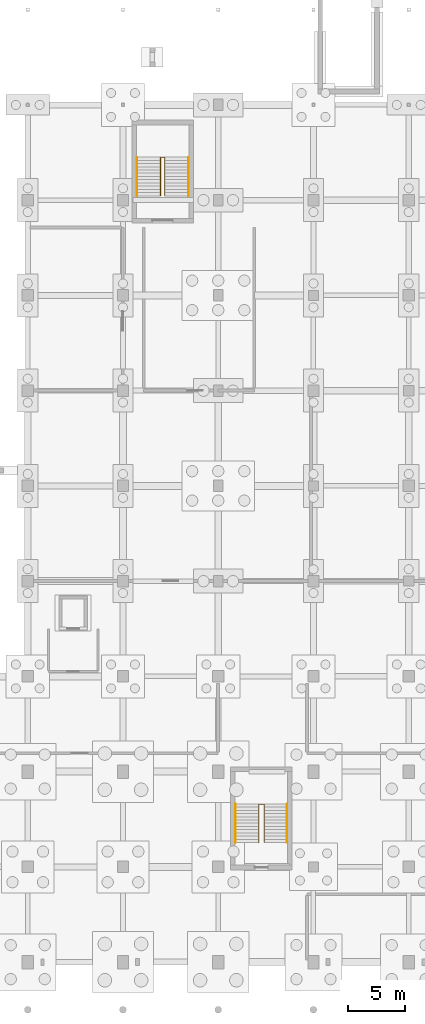
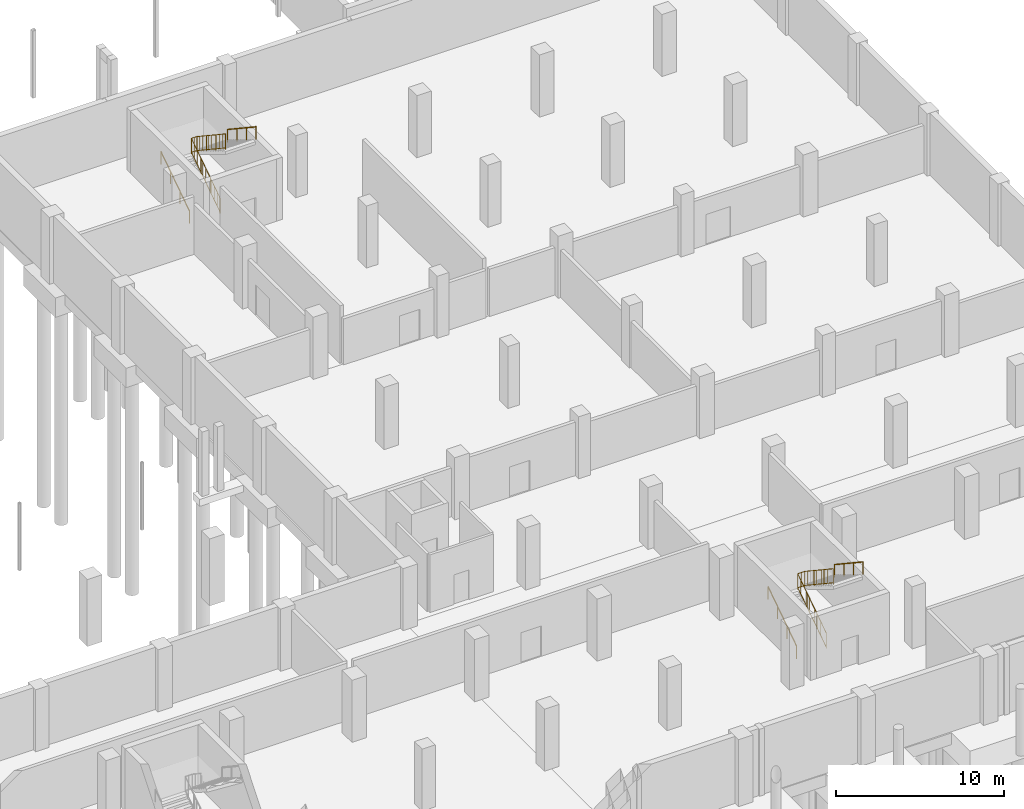
# One storey, part 39 of 39: 6 railings.
"""IFC4 building model written with IfcOpenShell, lengths in metres."""

from ifc_helpers import new_model, si_unit, derived_unit, direction, frame, origin, origin_2d, place, context, subcontext, project, spatial, circle, extrude, material, layer, layer_set, type_object, element, save


model = new_model("IFC4")

# Units and contexts
model_context = context("Model", 3, precision=1e-05, world=origin(), true_north=direction((0.0, 1.0)))
body_context = subcontext(model_context, "Body", "Model", "MODEL_VIEW")
ifc_project = project(units=[si_unit("LENGTHUNIT", "METRE"), si_unit("AREAUNIT", "SQUARE_METRE"), si_unit("VOLUMEUNIT", "CUBIC_METRE"), si_unit("PLANEANGLEUNIT", "RADIAN"), si_unit("MASSUNIT", "GRAM", prefix="KILO"), derived_unit("THERMALTRANSMITTANCEUNIT", [(si_unit("POWERUNIT", "WATT"), 1), (si_unit("LENGTHUNIT", "METRE"), -2), (si_unit("THERMODYNAMICTEMPERATUREUNIT", "KELVIN"), -1)])], contexts=[model_context])

# Site, building, storey
site_placement = place(None, origin())
site = spatial("IfcSite", under=ifc_project, at=site_placement, CompositionType="ELEMENT")
building_placement = place(site_placement, origin())
building = spatial("IfcBuilding", under=site, at=building_placement, Name="Barrovel Congress Hotel", CompositionType="ELEMENT")
storey_placement = place(building_placement, frame((0.0, 0.0, -4.5)))
storey = spatial("IfcBuildingStorey", under=building, at=storey_placement, Name="B01", CompositionType="ELEMENT", Elevation=-4.5)

# Railings
ifc_material_1 = material(Name="Painted Architectural Steel", Category="steel")
ifc_layer_1 = layer(ifc_material_1, 0.070068359375)
ifc_layer_set_1 = layer_set([ifc_layer_1], Name="Painted Architectural Steel")
railing_type_1 = type_object("IfcRailingType", Name="RAIL-GUARD-INT", PredefinedType="BALUSTRADE", material=ifc_layer_set_1)
railing_1_placement = place(storey_placement, frame((146.360107421875, 14.739990234375, 0.0)))
element("IfcRailing", 1, at=railing_1_placement, inside=storey, type_object=railing_type_1, Name="STAIR:XS-04:B01:GR-W", PredefinedType="BALUSTRADE", context=body_context, shape_type="SweptSolid", body=[
    extrude(circle(Radius=0.02392578125, at=origin_2d()), frame((0.0, 0.0, 1.11572265625), z_axis=(0.0, 0.833174834292, 0.553009670352), x_axis=(-1.0, 0.0, 0.0)), (0.0, 0.0, 1.0), 4.068603515625),
    extrude(circle(Radius=0.02392578125, at=origin_2d()), frame((0.0, 0.0, 0.10009765625), z_axis=(0.0, 0.833174834292, 0.553009670352), x_axis=(-1.0, 0.0, 0.0)), (0.0, 0.0, 1.0), 4.068603515625),
    extrude(circle(Radius=0.010009765625, at=origin_2d()), frame((0.0, 0.3388671875, 0.324951171875)), (0.0, 0.0, 1.0), 0.99169921875),
    extrude(circle(Radius=0.010009765625, at=origin_2d()), frame((0.0, 0.677978515625, 0.550048828125)), (0.0, 0.0, 1.0), 0.99169921875),
    extrude(circle(Radius=0.010009765625, at=origin_2d()), frame((0.0, 1.01708984375, 0.77490234375)), (0.0, 0.0, 1.0), 0.99169921875),
    extrude(circle(Radius=0.010009765625, at=origin_2d()), frame((0.0, 1.35595703125, 1.0)), (0.0, 0.0, 1.0), 0.99169921875),
    extrude(circle(Radius=0.010009765625, at=origin_2d()), frame((0.0, 1.69482421875, 1.22509765625)), (0.0, 0.0, 1.0), 0.99169921875),
    extrude(circle(Radius=0.010009765625, at=origin_2d()), frame((0.0, 2.033935546875, 1.449951171875)), (0.0, 0.0, 1.0), 0.99169921875),
    extrude(circle(Radius=0.010009765625, at=origin_2d()), frame((0.0, 2.373046875, 1.675048828125)), (0.0, 0.0, 1.0), 0.99169921875),
    extrude(circle(Radius=0.010009765625, at=origin_2d()), frame((0.0, 2.7119140625, 1.89990234375)), (0.0, 0.0, 1.0), 0.99169921875),
    extrude(circle(Radius=0.010009765625, at=origin_2d()), frame((0.0, 3.05078125, 2.125)), (0.0, 0.0, 1.0), 0.99169921875),
    extrude(circle(Radius=0.02392578125, at=origin_2d()), frame((0.0, 3.389892578125, 3.36572265625), z_axis=(1.0, 0.0, 0.0), x_axis=(0.0, 1.0, 0.0)), (0.0, 0.0, 1.0), 0.47998046875),
    extrude(circle(Radius=0.02392578125, at=origin_2d()), frame((0.0, 3.389892578125, 2.35009765625), z_axis=(1.0, 0.0, 0.0), x_axis=(0.0, 1.0, 0.0)), (0.0, 0.0, 1.0), 0.47998046875),
    extrude(circle(Radius=0.010009765625, at=origin_2d()), frame((0.239990234375, 3.389892578125, 2.35009765625)), (0.0, 0.0, 1.0), 0.99169921875),
    extrude(circle(Radius=0.02392578125, at=origin_2d()), frame((0.47998046875, 3.389892578125, 3.36572265625), z_axis=(0.0, -0.833174834292, 0.553009670352), x_axis=(1.0, 0.0, 0.0)), (0.0, 0.0, 1.0), 4.068603515625),
    extrude(circle(Radius=0.02392578125, at=origin_2d()), frame((0.47998046875, 3.389892578125, 2.35009765625), z_axis=(0.0, -0.833174834292, 0.553009670352), x_axis=(1.0, 0.0, 0.0)), (0.0, 0.0, 1.0), 4.068603515625),
    extrude(circle(Radius=0.010009765625, at=origin_2d()), frame((0.47998046875, 3.05078125, 2.574951171875)), (0.0, 0.0, 1.0), 0.99169921875),
    extrude(circle(Radius=0.010009765625, at=origin_2d()), frame((0.47998046875, 2.7119140625, 2.800048828125)), (0.0, 0.0, 1.0), 0.99169921875),
    extrude(circle(Radius=0.010009765625, at=origin_2d()), frame((0.47998046875, 2.373046875, 3.02490234375)), (0.0, 0.0, 1.0), 0.99169921875),
    extrude(circle(Radius=0.010009765625, at=origin_2d()), frame((0.47998046875, 2.033935546875, 3.25)), (0.0, 0.0, 1.0), 0.99169921875),
    extrude(circle(Radius=0.010009765625, at=origin_2d()), frame((0.47998046875, 1.69482421875, 3.47509765625)), (0.0, 0.0, 1.0), 0.99169921875),
    extrude(circle(Radius=0.010009765625, at=origin_2d()), frame((0.47998046875, 1.35595703125, 3.699951171875)), (0.0, 0.0, 1.0), 0.99169921875),
    extrude(circle(Radius=0.010009765625, at=origin_2d()), frame((0.47998046875, 1.01708984375, 3.925048828125)), (0.0, 0.0, 1.0), 0.99169921875),
    extrude(circle(Radius=0.010009765625, at=origin_2d()), frame((0.47998046875, 0.677978515625, 4.14990234375)), (0.0, 0.0, 1.0), 0.99169921875),
    extrude(circle(Radius=0.010009765625, at=origin_2d()), frame((0.47998046875, 0.3388671875, 4.375)), (0.0, 0.0, 1.0), 0.99169921875),
    extrude(circle(Radius=0.02099609375, at=origin_2d()), origin(), (0.0, 0.0, 1.0), 1.091796875),
    extrude(circle(Radius=0.02099609375, at=origin_2d()), frame((0.0, 1.1298828125, 0.75)), (0.0, 0.0, 1.0), 1.091796875),
    extrude(circle(Radius=0.02099609375, at=origin_2d()), frame((0.0, 2.260009765625, 1.5)), (0.0, 0.0, 1.0), 1.091796875),
    extrude(circle(Radius=0.02099609375, at=origin_2d()), frame((0.0, 3.389892578125, 2.25)), (0.0, 0.0, 1.0), 1.091796875),
    extrude(circle(Radius=0.02099609375, at=origin_2d()), frame((0.47998046875, 3.389892578125, 2.25)), (0.0, 0.0, 1.0), 1.091796875),
    extrude(circle(Radius=0.02099609375, at=origin_2d()), frame((0.47998046875, 2.260009765625, 3.0)), (0.0, 0.0, 1.0), 1.091796875),
    extrude(circle(Radius=0.02099609375, at=origin_2d()), frame((0.47998046875, 1.1298828125, 3.75)), (0.0, 0.0, 1.0), 1.091796875),
    extrude(circle(Radius=0.02099609375, at=origin_2d()), frame((0.47998046875, 0.0, 4.5)), (0.0, 0.0, 1.0), 1.091796875),
])
railing_2_placement = place(storey_placement, frame((137.7099609375, 71.780029296875, 0.0)))
element("IfcRailing", 2, at=railing_2_placement, inside=storey, type_object=railing_type_1, Name="STAIR:XS-09:B01:GR-W", PredefinedType="BALUSTRADE", context=body_context, shape_type="SweptSolid", body=[
    extrude(circle(Radius=0.02392578125, at=origin_2d()), frame((0.0, 0.0, 1.11572265625), z_axis=(0.0, 0.833174834292, 0.553009670352), x_axis=(-1.0, 0.0, 0.0)), (0.0, 0.0, 1.0), 4.068603515625),
    extrude(circle(Radius=0.02392578125, at=origin_2d()), frame((0.0, 0.0, 0.10009765625), z_axis=(0.0, 0.833174834292, 0.553009670352), x_axis=(-1.0, 0.0, 0.0)), (0.0, 0.0, 1.0), 4.068603515625),
    extrude(circle(Radius=0.010009765625, at=origin_2d()), frame((0.0, 0.3388671875, 0.324951171875)), (0.0, 0.0, 1.0), 0.99169921875),
    extrude(circle(Radius=0.010009765625, at=origin_2d()), frame((0.0, 0.677978515625, 0.550048828125)), (0.0, 0.0, 1.0), 0.99169921875),
    extrude(circle(Radius=0.010009765625, at=origin_2d()), frame((0.0, 1.01708984375, 0.77490234375)), (0.0, 0.0, 1.0), 0.99169921875),
    extrude(circle(Radius=0.010009765625, at=origin_2d()), frame((0.0, 1.35595703125, 1.0)), (0.0, 0.0, 1.0), 0.99169921875),
    extrude(circle(Radius=0.010009765625, at=origin_2d()), frame((0.0, 1.69482421875, 1.22509765625)), (0.0, 0.0, 1.0), 0.99169921875),
    extrude(circle(Radius=0.010009765625, at=origin_2d()), frame((0.0, 2.033935546875, 1.449951171875)), (0.0, 0.0, 1.0), 0.99169921875),
    extrude(circle(Radius=0.010009765625, at=origin_2d()), frame((0.0, 2.373046875, 1.675048828125)), (0.0, 0.0, 1.0), 0.99169921875),
    extrude(circle(Radius=0.010009765625, at=origin_2d()), frame((0.0, 2.7119140625, 1.89990234375)), (0.0, 0.0, 1.0), 0.99169921875),
    extrude(circle(Radius=0.010009765625, at=origin_2d()), frame((0.0, 3.05078125, 2.125)), (0.0, 0.0, 1.0), 0.99169921875),
    extrude(circle(Radius=0.02392578125, at=origin_2d()), frame((0.0, 3.389892578125, 3.36572265625), z_axis=(1.0, 0.0, 0.0), x_axis=(0.0, 1.0, 0.0)), (0.0, 0.0, 1.0), 0.380126953125),
    extrude(circle(Radius=0.02392578125, at=origin_2d()), frame((0.0, 3.389892578125, 2.35009765625), z_axis=(1.0, 0.0, 0.0), x_axis=(0.0, 1.0, 0.0)), (0.0, 0.0, 1.0), 0.380126953125),
    extrude(circle(Radius=0.010009765625, at=origin_2d()), frame((0.18994140625, 3.389892578125, 2.35009765625)), (0.0, 0.0, 1.0), 0.99169921875),
    extrude(circle(Radius=0.02392578125, at=origin_2d()), frame((0.380126953125, 3.389892578125, 3.36572265625), z_axis=(0.0, -0.833174834292, 0.553009670352), x_axis=(1.0, 0.0, 0.0)), (0.0, 0.0, 1.0), 4.068603515625),
    extrude(circle(Radius=0.02392578125, at=origin_2d()), frame((0.380126953125, 3.389892578125, 2.35009765625), z_axis=(0.0, -0.833174834292, 0.553009670352), x_axis=(1.0, 0.0, 0.0)), (0.0, 0.0, 1.0), 4.068603515625),
    extrude(circle(Radius=0.010009765625, at=origin_2d()), frame((0.380126953125, 3.05078125, 2.574951171875)), (0.0, 0.0, 1.0), 0.99169921875),
    extrude(circle(Radius=0.010009765625, at=origin_2d()), frame((0.380126953125, 2.7119140625, 2.800048828125)), (0.0, 0.0, 1.0), 0.99169921875),
    extrude(circle(Radius=0.010009765625, at=origin_2d()), frame((0.380126953125, 2.373046875, 3.02490234375)), (0.0, 0.0, 1.0), 0.99169921875),
    extrude(circle(Radius=0.010009765625, at=origin_2d()), frame((0.380126953125, 2.033935546875, 3.25)), (0.0, 0.0, 1.0), 0.99169921875),
    extrude(circle(Radius=0.010009765625, at=origin_2d()), frame((0.380126953125, 1.69482421875, 3.47509765625)), (0.0, 0.0, 1.0), 0.99169921875),
    extrude(circle(Radius=0.010009765625, at=origin_2d()), frame((0.380126953125, 1.35595703125, 3.699951171875)), (0.0, 0.0, 1.0), 0.99169921875),
    extrude(circle(Radius=0.010009765625, at=origin_2d()), frame((0.380126953125, 1.01708984375, 3.925048828125)), (0.0, 0.0, 1.0), 0.99169921875),
    extrude(circle(Radius=0.010009765625, at=origin_2d()), frame((0.380126953125, 0.677978515625, 4.14990234375)), (0.0, 0.0, 1.0), 0.99169921875),
    extrude(circle(Radius=0.010009765625, at=origin_2d()), frame((0.380126953125, 0.3388671875, 4.375)), (0.0, 0.0, 1.0), 0.99169921875),
    extrude(circle(Radius=0.02099609375, at=origin_2d()), origin(), (0.0, 0.0, 1.0), 1.091796875),
    extrude(circle(Radius=0.02099609375, at=origin_2d()), frame((0.0, 1.1298828125, 0.75)), (0.0, 0.0, 1.0), 1.091796875),
    extrude(circle(Radius=0.02099609375, at=origin_2d()), frame((0.0, 2.260009765625, 1.5)), (0.0, 0.0, 1.0), 1.091796875),
    extrude(circle(Radius=0.02099609375, at=origin_2d()), frame((0.0, 3.389892578125, 2.25)), (0.0, 0.0, 1.0), 1.091796875),
    extrude(circle(Radius=0.02099609375, at=origin_2d()), frame((0.380126953125, 3.389892578125, 2.25)), (0.0, 0.0, 1.0), 1.091796875),
    extrude(circle(Radius=0.02099609375, at=origin_2d()), frame((0.380126953125, 2.260009765625, 3.0)), (0.0, 0.0, 1.0), 1.091796875),
    extrude(circle(Radius=0.02099609375, at=origin_2d()), frame((0.380126953125, 1.1298828125, 3.75)), (0.0, 0.0, 1.0), 1.091796875),
    extrude(circle(Radius=0.02099609375, at=origin_2d()), frame((0.380126953125, 0.0, 4.5)), (0.0, 0.0, 1.0), 1.091796875),
])
ifc_material_2 = material(Name="Brushed Stainless Steel", Category="steel")
ifc_layer_2 = layer(ifc_material_2, 0.050048828125)
ifc_layer_set_2 = layer_set([ifc_layer_2], Name="Brushed Stainless Steel")
railing_type_2 = type_object("IfcRailingType", Name="RAIL-HAND", PredefinedType="HANDRAIL", material=ifc_layer_set_2)
railing_3_placement = place(storey_placement, frame((144.320068359375, 14.739990234375, 0.0)))
element("IfcRailing", 3, at=railing_3_placement, inside=storey, type_object=railing_type_2, Name="STAIR:XS-04:B01:HR-1", PredefinedType="HANDRAIL", context=body_context, shape_type="SweptSolid", body=[
    extrude(circle(Radius=0.02392578125, at=origin_2d()), frame((0.0, 0.0, 0.89599609375), z_axis=(0.0, 0.833174834292, 0.553009670352), x_axis=(-1.0, 0.0, 0.0)), (0.0, 0.0, 1.0), 4.068603515625),
    extrude(circle(Radius=0.02099609375, at=origin_2d()), origin(), (0.0, 0.0, 1.0), 0.871826171875),
    extrude(circle(Radius=0.02099609375, at=origin_2d()), frame((0.0, 1.1298828125, 0.75)), (0.0, 0.0, 1.0), 0.871826171875),
    extrude(circle(Radius=0.02099609375, at=origin_2d()), frame((0.0, 2.260009765625, 1.5)), (0.0, 0.0, 1.0), 0.871826171875),
    extrude(circle(Radius=0.02099609375, at=origin_2d()), frame((0.0, 3.389892578125, 2.25)), (0.0, 0.0, 1.0), 0.871826171875),
])
railing_4_placement = place(storey_placement, frame((148.8798828125, 18.1298828125, 2.25)))
element("IfcRailing", 4, at=railing_4_placement, inside=storey, type_object=railing_type_2, Name="STAIR:XS-04:B01:HR-2", PredefinedType="HANDRAIL", context=body_context, shape_type="SweptSolid", body=[
    extrude(circle(Radius=0.02392578125, at=origin_2d()), frame((0.0, 0.0, 0.89599609375), z_axis=(0.0, -0.833174834292, 0.553009670352), x_axis=(1.0, 0.0, 0.0)), (0.0, 0.0, 1.0), 4.068603515625),
    extrude(circle(Radius=0.02099609375, at=origin_2d()), origin(), (0.0, 0.0, 1.0), 0.871826171875),
    extrude(circle(Radius=0.02099609375, at=origin_2d()), frame((0.0, -1.1298828125, 0.75)), (0.0, 0.0, 1.0), 0.871826171875),
    extrude(circle(Radius=0.02099609375, at=origin_2d()), frame((0.0, -2.260009765625, 1.5)), (0.0, 0.0, 1.0), 0.871826171875),
    extrude(circle(Radius=0.02099609375, at=origin_2d()), frame((0.0, -3.389892578125, 2.25)), (0.0, 0.0, 1.0), 0.871826171875),
])
railing_5_placement = place(storey_placement, frame((135.6201171875, 71.780029296875, 0.0)))
element("IfcRailing", 5, at=railing_5_placement, inside=storey, type_object=railing_type_2, Name="STAIR:XS-09:B01:HR-1", PredefinedType="HANDRAIL", context=body_context, shape_type="SweptSolid", body=[
    extrude(circle(Radius=0.02392578125, at=origin_2d()), frame((0.0, 0.0, 0.89599609375), z_axis=(0.0, 0.833174834292, 0.553009670352), x_axis=(-1.0, 0.0, 0.0)), (0.0, 0.0, 1.0), 4.068603515625),
    extrude(circle(Radius=0.02099609375, at=origin_2d()), origin(), (0.0, 0.0, 1.0), 0.871826171875),
    extrude(circle(Radius=0.02099609375, at=origin_2d()), frame((0.0, 1.1298828125, 0.75)), (0.0, 0.0, 1.0), 0.871826171875),
    extrude(circle(Radius=0.02099609375, at=origin_2d()), frame((0.0, 2.260009765625, 1.5)), (0.0, 0.0, 1.0), 0.871826171875),
    extrude(circle(Radius=0.02099609375, at=origin_2d()), frame((0.0, 3.389892578125, 2.25)), (0.0, 0.0, 1.0), 0.871826171875),
])
railing_6_placement = place(storey_placement, frame((140.179931640625, 75.169921875, 2.25)))
element("IfcRailing", 6, at=railing_6_placement, inside=storey, type_object=railing_type_2, Name="STAIR:XS-09:B01:HR-2", PredefinedType="HANDRAIL", context=body_context, shape_type="SweptSolid", body=[
    extrude(circle(Radius=0.02392578125, at=origin_2d()), frame((0.0, 0.0, 0.89599609375), z_axis=(0.0, -0.833174834292, 0.553009670352), x_axis=(1.0, 0.0, 0.0)), (0.0, 0.0, 1.0), 4.068603515625),
    extrude(circle(Radius=0.02099609375, at=origin_2d()), origin(), (0.0, 0.0, 1.0), 0.871826171875),
    extrude(circle(Radius=0.02099609375, at=origin_2d()), frame((0.0, -1.1298828125, 0.75)), (0.0, 0.0, 1.0), 0.871826171875),
    extrude(circle(Radius=0.02099609375, at=origin_2d()), frame((0.0, -2.260009765625, 1.5)), (0.0, 0.0, 1.0), 0.871826171875),
    extrude(circle(Radius=0.02099609375, at=origin_2d()), frame((0.0, -3.389892578125, 2.25)), (0.0, 0.0, 1.0), 0.871826171875),
])

save(model, "model.ifc")
